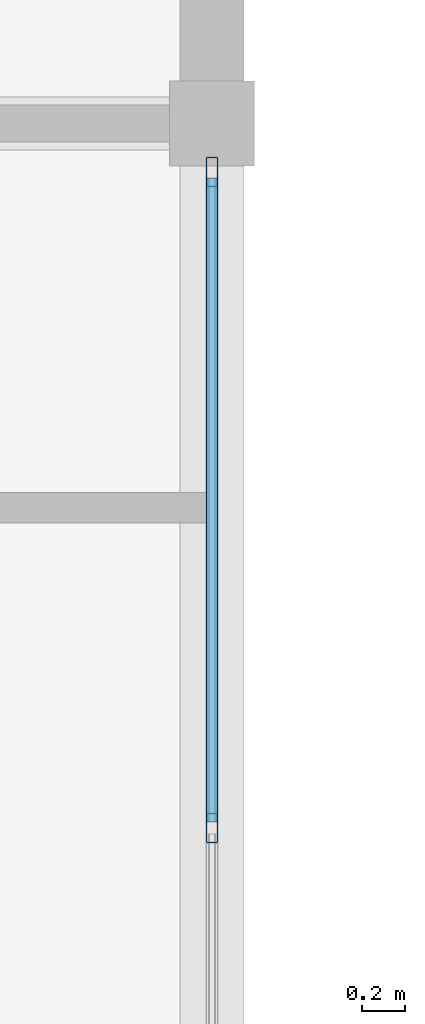
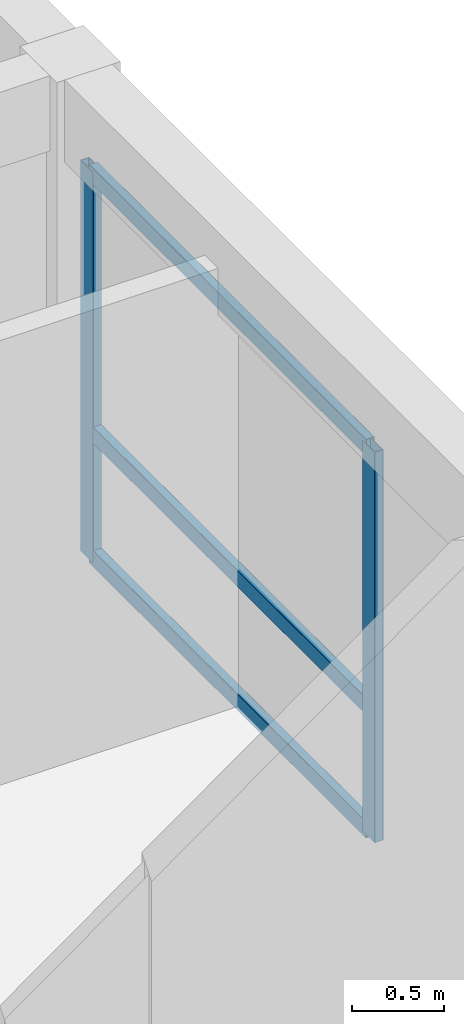
# One storey, part 10 of 45: 5 members, 1 element without a shape of its own.
"""IFC4 building model written with IfcOpenShell, lengths in metres."""

from ifc_helpers import new_model, si_unit, direction, frame, origin, origin_2d, place, context, subcontext, project, spatial, hollow_rectangle, extrude, material, material_profile, profile_set, type_object, element, aggregate, save


model = new_model("IFC4")

# Units and contexts
model_context = context("Model", 3, precision=1e-05, world=origin(), true_north=direction((0.0, 1.0)))
body_context = subcontext(model_context, "Body", "Model", "MODEL_VIEW")
ifc_project = project(units=[si_unit("LENGTHUNIT", "METRE"), si_unit("AREAUNIT", "SQUARE_METRE"), si_unit("VOLUMEUNIT", "CUBIC_METRE"), si_unit("PLANEANGLEUNIT", "RADIAN"), si_unit("MASSUNIT", "GRAM", prefix="KILO")], contexts=[model_context])

# Site, building, storey
site_placement = place(None, origin())
site = spatial("IfcSite", under=ifc_project, at=site_placement, CompositionType="ELEMENT")
building_placement = place(site_placement, origin())
building = spatial("IfcBuilding", under=site, at=building_placement, Name="Kernevlak Ridge Housing Community", CompositionType="ELEMENT")
storey_placement = place(building_placement, frame((0.0, 0.0, 14.800048828125)))
storey = spatial("IfcBuildingStorey", under=building, at=storey_placement, Name="L04", CompositionType="ELEMENT", Elevation=14.800048828125)

# Curtain wall, members
ifc_material_1 = material(Name="Aluminium EN AW-6060 anodised and laminated glass", Category="aluminium")
curtain_wall_type = type_object("IfcCurtainWallType", Name="CW-02", PredefinedType="NOTDEFINED", material=ifc_material_1)
curtain_wall_placement = place(storey_placement, origin())
curtain_wall = element("IfcCurtainWall", 1, at=curtain_wall_placement, inside=storey, type_object=curtain_wall_type, Name="Curtain wall CW-02 CW-L04-153", PredefinedType="NOTDEFINED")
ifc_material_2 = material(Name="Aluminium EN AW-6060 anodised", Category="aluminium")
ifc_material_profile_1 = material_profile(ifc_material_2, hollow_rectangle(XDim=0.054931640625, YDim=0.139892578125, WallThickness=0.00390625, InnerFilletRadius=0.001953125, OuterFilletRadius=0.00390625, at=origin_2d()), Name="ALU 55x140x4")
ifc_profile_set_1 = profile_set([ifc_material_profile_1], Name="Aluminium EN AW-6060 anodised")
member_type_1 = type_object("IfcMemberType", Name="MU-01", PredefinedType="MULLION", material=ifc_profile_set_1)
member_1_placement = place(storey_placement, frame((42.0, 25.5, 0.0), z_axis=(0.0, 0.0, 1.0), x_axis=(-1.0, 0.0, 0.0)))
member_1 = element("IfcMember", 2, at=member_1_placement, type_object=member_type_1, Name="CW-02 mullion 2", PredefinedType="MULLION", context=body_context, shape_type="SweptSolid", body=[
    extrude(hollow_rectangle(XDim=0.054931640625, YDim=0.139892578125, WallThickness=0.00390625, InnerFilletRadius=0.001953125, OuterFilletRadius=0.00390625, at=origin_2d()), origin(), (0.0, 0.0, 1.0), 2.599853515625),
])
member_2_placement = place(storey_placement, frame((42.0, 28.572509765625, 0.0), z_axis=(0.0, 0.0, 1.0), x_axis=(-1.0, 0.0, 0.0)))
member_2 = element("IfcMember", 3, at=member_2_placement, type_object=member_type_1, Name="CW-02 mullion 3", PredefinedType="MULLION", context=body_context, shape_type="SweptSolid", body=[
    extrude(hollow_rectangle(XDim=0.054931640625, YDim=0.139892578125, WallThickness=0.00390625, InnerFilletRadius=0.001953125, OuterFilletRadius=0.00390625, at=origin_2d()), origin(), (0.0, 0.0, 1.0), 2.599853515625),
])
ifc_material_profile_2 = material_profile(ifc_material_2, hollow_rectangle(XDim=0.054931640625, YDim=0.110107421875, WallThickness=0.00390625, InnerFilletRadius=0.001953125, OuterFilletRadius=0.00390625, at=origin_2d()), Name="ALU 55x110x4")
ifc_profile_set_2 = profile_set([ifc_material_profile_2], Name="Aluminium EN AW-6060 anodised")
member_type_2 = type_object("IfcMemberType", Name="TM-01", PredefinedType="USERDEFINED", material=ifc_profile_set_2)
member_3_placement = place(storey_placement, frame((42.0, 25.527587890625, 0.02734375), z_axis=(0.0, 1.0, 0.0), x_axis=(-1.0, 0.0, 0.0)))
member_3 = element("IfcMember", 4, at=member_3_placement, type_object=member_type_2, Name="CW-02 transom 2.1", ObjectType="TRANSOM", PredefinedType="USERDEFINED", context=body_context, shape_type="SweptSolid", body=[
    extrude(hollow_rectangle(XDim=0.054931640625, YDim=0.110107421875, WallThickness=0.00390625, InnerFilletRadius=0.001953125, OuterFilletRadius=0.00390625, at=origin_2d()), origin(), (0.0, 0.0, 1.0), 3.017333984375),
])
member_4_placement = place(storey_placement, frame((42.0, 25.527587890625, 0.849853515625), z_axis=(0.0, 1.0, 0.0), x_axis=(-1.0, 0.0, 0.0)))
member_4 = element("IfcMember", 5, at=member_4_placement, type_object=member_type_2, Name="CW-02 transom 2.2", ObjectType="TRANSOM", PredefinedType="USERDEFINED", context=body_context, shape_type="SweptSolid", body=[
    extrude(hollow_rectangle(XDim=0.054931640625, YDim=0.110107421875, WallThickness=0.00390625, InnerFilletRadius=0.001953125, OuterFilletRadius=0.00390625, at=origin_2d()), origin(), (0.0, 0.0, 1.0), 3.017333984375),
])
member_5_placement = place(storey_placement, frame((42.0, 25.527587890625, 2.572509765625), z_axis=(0.0, 1.0, 0.0), x_axis=(-1.0, 0.0, 0.0)))
member_5 = element("IfcMember", 6, at=member_5_placement, type_object=member_type_2, Name="CW-02 transom 2.3", ObjectType="TRANSOM", PredefinedType="USERDEFINED", context=body_context, shape_type="SweptSolid", body=[
    extrude(hollow_rectangle(XDim=0.054931640625, YDim=0.110107421875, WallThickness=0.00390625, InnerFilletRadius=0.001953125, OuterFilletRadius=0.00390625, at=origin_2d()), origin(), (0.0, 0.0, 1.0), 3.017333984375),
])
aggregate(curtain_wall, [member_1, member_2, member_3, member_4, member_5])

save(model, "model.ifc")
